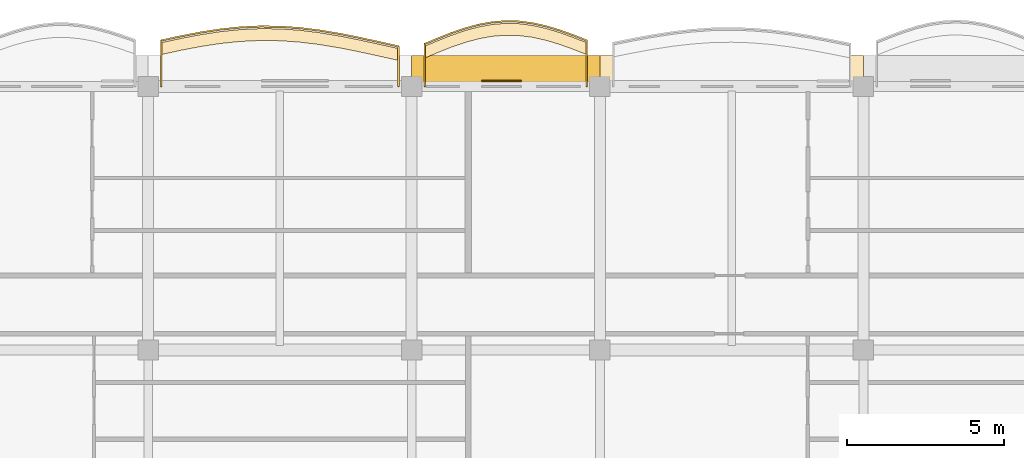
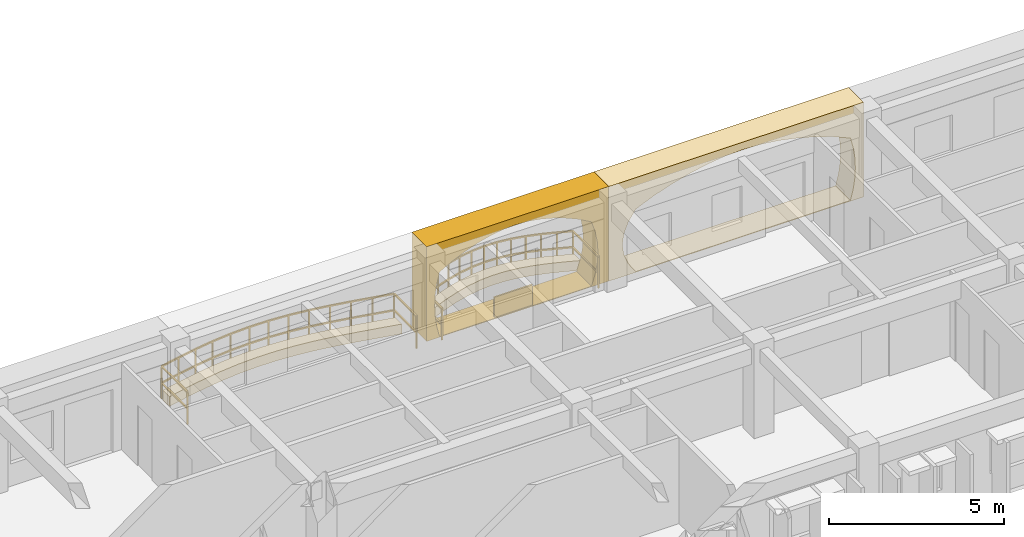
# One storey, part 64 of 76: 5 coverings, 2 railings.
"""IFC4 building model written with IfcOpenShell, lengths in metres."""

from ifc_helpers import new_model, si_unit, direction, frame, origin, origin_2d, place, context, subcontext, project, spatial, polyline, rectangle, outline, extrude, material, layer, layer_set, type_object, element, save


model = new_model("IFC4")

# Units and contexts
model_context = context("Model", 3, precision=1e-05, world=origin(), true_north=direction((0.0, 1.0)))
body_context = subcontext(model_context, "Body", "Model", "MODEL_VIEW")
ifc_project = project(units=[si_unit("LENGTHUNIT", "METRE"), si_unit("AREAUNIT", "SQUARE_METRE"), si_unit("VOLUMEUNIT", "CUBIC_METRE"), si_unit("PLANEANGLEUNIT", "RADIAN"), si_unit("MASSUNIT", "GRAM", prefix="KILO"), si_unit("THERMODYNAMICTEMPERATUREUNIT", "KELVIN")], contexts=[model_context])

# Site, building, storey
site_placement = place(None, origin())
site = spatial("IfcSite", under=ifc_project, at=site_placement, CompositionType="ELEMENT")
building_placement = place(site_placement, origin())
building = spatial("IfcBuilding", under=site, at=building_placement, Name="Thalorik Housing Commons", CompositionType="ELEMENT")
storey_placement = place(building_placement, frame((0.0, 0.0, 18.0)))
storey = spatial("IfcBuildingStorey", under=building, at=storey_placement, Name="L05", CompositionType="ELEMENT", Elevation=18.0)

# Coverings
ifc_material_1 = material(Name="Precast concrete C40/50", Category="concrete")
ifc_layer_1 = layer(ifc_material_1, 0.85009765625, Name="Precast concrete C40/50", Category="concrete")
ifc_layer_set_1 = layer_set([ifc_layer_1], Name="Precast concrete C40/50")
covering_type_1 = type_object("IfcCoveringType", Name="ARC-CLD-CUSH-850", PredefinedType="CLADDING", material=ifc_layer_set_1)
covering_1_placement = place(storey_placement, frame((133.800048828125, 124.169921875, 0.0), z_axis=(0.0, 0.0, 1.0), x_axis=(-1.0, 0.0, 0.0)))
element("IfcCovering", 1, at=covering_1_placement, inside=storey, type_object=covering_type_1, Name="L05 White Precast Curved Cushion Bay Frame 2212", PredefinedType="CLADDING", context=body_context, shape_type="SweptSolid", body=[
    extrude(outline(polyline([(-4.199951171875, 0.0), (4.199951171875, 0.0), (4.199951171875, 3.300048828125), (-4.199951171875, 3.300048828125), (-4.199951171875, 0.0)]), holes=[polyline([(3.3095703125, 0.02490234375), (3.55419921875, 0.387451171875), (3.701171875, 0.75), (3.75, 1.112548828125), (3.701171875, 1.47509765625), (3.55419921875, 1.83740234375), (3.3095703125, 2.199951171875), (2.719482421875, 2.455810546875), (2.12939453125, 2.656494140625), (1.539306640625, 2.819091796875), (0.94921875, 2.940185546875), (0.359375, 3.014892578125), (-0.230712890625, 3.0400390625), (-0.82080078125, 3.014892578125), (-1.410888671875, 2.940185546875), (-2.0009765625, 2.819091796875), (-2.5908203125, 2.656494140625), (-3.180908203125, 2.455810546875), (-3.77099609375, 2.199951171875), (-3.861572265625, 1.83740234375), (-3.916015625, 1.47509765625), (-3.93408203125, 1.112548828125), (-3.916015625, 0.75), (-3.861572265625, 0.387451171875), (-3.77099609375, 0.02490234375), (3.3095703125, 0.02490234375)])]), frame((0.0, 0.425048828125, 0.0), z_axis=(0.0, -1.0, 0.0), x_axis=(1.0, 0.0, 0.0)), (0.0, 0.0, 1.0), 0.85009765625),
])
covering_2_placement = place(storey_placement, frame((126.60009765625, 124.169921875, 0.0), z_axis=(0.0, 0.0, 1.0), x_axis=(-1.0, 0.0, 0.0)))
element("IfcCovering", 2, at=covering_2_placement, inside=storey, type_object=covering_type_1, Name="L05 White Precast Curved Cushion Bay Frame 2214", PredefinedType="CLADDING", context=body_context, shape_type="SweptSolid", body=[
    extrude(outline(polyline([(-3.0, 0.0), (3.0, 0.0), (3.0, 3.300048828125), (-3.0, 3.300048828125), (-3.0, 0.0)]), holes=[polyline([(2.580078125, 0.02490234375), (2.668701171875, 0.399169921875), (2.721923828125, 0.773193359375), (2.739501953125, 1.1474609375), (2.721923828125, 1.521728515625), (2.668701171875, 1.895751953125), (2.580078125, 2.27001953125), (2.16259765625, 2.50439453125), (1.7451171875, 2.6884765625), (1.327392578125, 2.837646484375), (0.909912109375, 2.948486328125), (0.492431640625, 3.016845703125), (0.074951171875, 3.0400390625), (-0.342529296875, 3.016845703125), (-0.760009765625, 2.948486328125), (-1.177490234375, 2.837646484375), (-1.594970703125, 2.6884765625), (-2.012451171875, 2.50439453125), (-2.429931640625, 2.27001953125), (-2.55029296875, 1.895751953125), (-2.62255859375, 1.521728515625), (-2.646484375, 1.1474609375), (-2.62255859375, 0.773193359375), (-2.55029296875, 0.399169921875), (-2.429931640625, 0.02490234375), (2.580078125, 0.02490234375)])]), frame((0.0, 0.425048828125, 0.0), z_axis=(0.0, -1.0, 0.0), x_axis=(1.0, 0.0, 0.0)), (0.0, 0.0, 1.0), 0.85009765625),
])
ifc_material_2 = material(Name="Terracotta red mineral fibre-cement panel", Category="masonry")
ifc_layer_2 = layer(ifc_material_2, 0.054931640625, Name="Terracotta red mineral fibre-cement panel", Category="masonry")
ifc_layer_set_2 = layer_set([ifc_layer_2], Name="Terracotta red mineral fibre-cement panel")
covering_type_2 = type_object("IfcCoveringType", Name="ARC-CLD-RED-55", PredefinedType="CLADDING", material=ifc_layer_set_2)
covering_3_placement = place(storey_placement, frame((126.465087890625, 123.777587890625, 0.0498046875), z_axis=(0.0, 0.0, 1.0), x_axis=(-1.0, 0.0, 0.0)))
element("IfcCovering", 3, at=covering_3_placement, inside=storey, type_object=covering_type_2, Name="L05 De Stijl Recessed Window Spandrel 2215", PredefinedType="CLADDING", context=body_context, shape_type="SweptSolid", body=[
    extrude(rectangle(XDim=1.25, YDim=0.054931640625, at=origin_2d()), origin(), (0.0, 0.0, 1.0), 0.699951171875),
])
ifc_material_3 = material(Name="Planted vegetated substrate and terracotta trough", Category="masonry")
ifc_layer_3 = layer(ifc_material_3, 0.340087890625, Name="Planted vegetated substrate and terracotta trough", Category="masonry")
ifc_layer_set_3 = layer_set([ifc_layer_3], Name="Planted vegetated substrate and terracotta trough")
covering_type_3 = type_object("IfcCoveringType", Name="ARC-COV-PLANTER", PredefinedType="USERDEFINED", material=ifc_layer_set_3)
covering_4_placement = place(storey_placement, origin())
element("IfcCovering", 4, at=covering_4_placement, inside=storey, type_object=covering_type_3, Name="L05 Balcony Slab-Edge Planted Trough 5473", ObjectType="PLANTER", PredefinedType="USERDEFINED", context=body_context, shape_type="SweptSolid", body=[
    extrude(outline(polyline([(123.179931640625, 124.810546875), (122.550048828125, 124.95068359375), (121.919921875, 125.087890625), (121.2900390625, 125.213134765625), (120.659912109375, 125.31787109375), (120.030029296875, 125.394775390625), (119.39990234375, 125.438720703125), (118.77001953125, 125.446044921875), (118.139892578125, 125.41650390625), (117.510009765625, 125.351806640625), (116.8798828125, 125.256103515625), (116.25, 125.135986328125), (115.6201171875, 124.998779296875), (115.6201171875, 124.618896484375), (116.25, 124.755859375), (116.8798828125, 124.876220703125), (117.510009765625, 124.971923828125), (118.139892578125, 125.03662109375), (118.77001953125, 125.066162109375), (119.39990234375, 125.05859375), (120.030029296875, 125.014892578125), (120.659912109375, 124.93798828125), (121.2900390625, 124.833251953125), (121.919921875, 124.7080078125), (122.550048828125, 124.57080078125), (123.179931640625, 124.4306640625), (123.179931640625, 124.810546875)])), origin(), (0.0, 0.0, 1.0), 0.340087890625),
])
covering_5_placement = place(storey_placement, origin())
element("IfcCovering", 5, at=covering_5_placement, inside=storey, type_object=covering_type_3, Name="L05 Balcony Slab-Edge Planted Trough 5474", ObjectType="PLANTER", PredefinedType="USERDEFINED", context=body_context, shape_type="SweptSolid", body=[
    extrude(outline(polyline([(129.179931640625, 124.9970703125), (128.75, 125.166259765625), (128.320068359375, 125.321044921875), (127.889892578125, 125.45068359375), (127.4599609375, 125.546630859375), (127.030029296875, 125.6025390625), (126.60009765625, 125.614013671875), (126.169921875, 125.580322265625), (125.739990234375, 125.503173828125), (125.31005859375, 125.38720703125), (124.8798828125, 125.23974609375), (124.449951171875, 125.0703125), (124.02001953125, 124.8896484375), (124.02001953125, 124.509765625), (124.449951171875, 124.6904296875), (124.8798828125, 124.85986328125), (125.31005859375, 125.007080078125), (125.739990234375, 125.123046875), (126.169921875, 125.2001953125), (126.60009765625, 125.234130859375), (127.030029296875, 125.222412109375), (127.4599609375, 125.166748046875), (127.889892578125, 125.07080078125), (128.320068359375, 124.94091796875), (128.75, 124.786376953125), (129.179931640625, 124.6171875), (129.179931640625, 124.9970703125)])), origin(), (0.0, 0.0, 1.0), 0.340087890625),
])

# Railings
ifc_material_4 = material(Name="Steel S355", Category="steel")
railing_type_1 = type_object("IfcRailingType", Name="ARC-RL-BAL-112", PredefinedType="BALUSTRADE", material=ifc_material_4)
railing_1_placement = place(storey_placement, frame((129.179931640625, 123.60009765625, 0.0)))
element("IfcRailing", 6, at=railing_1_placement, inside=storey, type_object=railing_type_1, Name="L05 Cushion Balcony Guardrail 158", PredefinedType="BALUSTRADE", context=body_context, shape_type="SweptSolid", body=[
    extrude(rectangle(XDim=0.050048828125, YDim=0.050048828125, at=origin_2d()), frame((0.0, 0.0, 1.09521484375), z_axis=(0.0, 1.0, 0.0), x_axis=(-1.0, 0.0, 0.0)), (0.0, 0.0, 1.0), 1.467041015625),
    extrude(rectangle(XDim=0.050048828125, YDim=0.050048828125, at=origin_2d()), frame((0.0, 0.0, 0.53515625), z_axis=(0.0, 1.0, 0.0), x_axis=(-1.0, 0.0, 0.0)), (0.0, 0.0, 1.0), 1.467041015625),
    extrude(rectangle(XDim=0.050048828125, YDim=0.050048828125, at=origin_2d()), frame((0.0, 1.467041015625, 1.09521484375), z_axis=(-0.930539387063, 0.366191820122, 0.0), x_axis=(-0.366191820122, -0.930539387063, 0.0)), (0.0, 0.0, 1.0), 0.4619140625),
    extrude(rectangle(XDim=0.050048828125, YDim=0.050048828125, at=origin_2d()), frame((0.0, 1.467041015625, 0.53515625), z_axis=(-0.930539387063, 0.366191820122, 0.0), x_axis=(-0.366191820122, -0.930539387063, 0.0)), (0.0, 0.0, 1.0), 0.4619140625),
    extrude(rectangle(XDim=0.050048828125, YDim=0.050048828125, at=origin_2d()), frame((-0.429931640625, 1.63623046875, 1.09521484375), z_axis=(-0.940880600646, 0.33873838774, 0.0), x_axis=(-0.33873838774, -0.940880600646, 0.0)), (0.0, 0.0, 1.0), 0.45703125),
    extrude(rectangle(XDim=0.050048828125, YDim=0.050048828125, at=origin_2d()), frame((-0.429931640625, 1.63623046875, 0.53515625), z_axis=(-0.940880600646, 0.33873838774, 0.0), x_axis=(-0.33873838774, -0.940880600646, 0.0)), (0.0, 0.0, 1.0), 0.45703125),
    extrude(rectangle(XDim=0.050048828125, YDim=0.050048828125, at=origin_2d()), frame((-0.85986328125, 1.791015625, 1.09521484375), z_axis=(-0.957466596389, 0.288544133191, 0.0), x_axis=(-0.288544133191, -0.957466596389, 0.0)), (0.0, 0.0, 1.0), 0.44921875),
    extrude(rectangle(XDim=0.050048828125, YDim=0.050048828125, at=origin_2d()), frame((-0.85986328125, 1.791015625, 0.53515625), z_axis=(-0.957466596389, 0.288544133191, 0.0), x_axis=(-0.288544133191, -0.957466596389, 0.0)), (0.0, 0.0, 1.0), 0.44921875),
    extrude(rectangle(XDim=0.050048828125, YDim=0.050048828125, at=origin_2d()), frame((-1.2900390625, 1.920654296875, 1.09521484375), z_axis=(-0.975991054332, 0.217810610081, 0.0), x_axis=(-0.217810610081, -0.975991054332, 0.0)), (0.0, 0.0, 1.0), 0.4404296875),
    extrude(rectangle(XDim=0.050048828125, YDim=0.050048828125, at=origin_2d()), frame((-1.2900390625, 1.920654296875, 0.53515625), z_axis=(-0.975991054332, 0.217810610081, 0.0), x_axis=(-0.217810610081, -0.975991054332, 0.0)), (0.0, 0.0, 1.0), 0.4404296875),
    extrude(rectangle(XDim=0.050048828125, YDim=0.050048828125, at=origin_2d()), frame((-1.719970703125, 2.0166015625, 1.09521484375), z_axis=(-0.991650577376, 0.12895399331, 0.0), x_axis=(-0.12895399331, -0.991650577376, 0.0)), (0.0, 0.0, 1.0), 0.43359375),
    extrude(rectangle(XDim=0.050048828125, YDim=0.050048828125, at=origin_2d()), frame((-1.719970703125, 2.0166015625, 0.53515625), z_axis=(-0.991650577376, 0.12895399331, 0.0), x_axis=(-0.12895399331, -0.991650577376, 0.0)), (0.0, 0.0, 1.0), 0.43359375),
    extrude(rectangle(XDim=0.050048828125, YDim=0.050048828125, at=origin_2d()), frame((-2.14990234375, 2.072509765625, 1.09521484375), z_axis=(-0.999644028634, 0.026679880378, 0.0), x_axis=(-0.026679880378, -0.999644028634, 0.0)), (0.0, 0.0, 1.0), 0.43017578125),
    extrude(rectangle(XDim=0.050048828125, YDim=0.050048828125, at=origin_2d()), frame((-2.14990234375, 2.072509765625, 0.53515625), z_axis=(-0.999644028634, 0.026679880378, 0.0), x_axis=(-0.026679880378, -0.999644028634, 0.0)), (0.0, 0.0, 1.0), 0.43017578125),
    extrude(rectangle(XDim=0.050048828125, YDim=0.050048828125, at=origin_2d()), frame((-2.579833984375, 2.083984375, 1.09521484375), z_axis=(-0.99694701985, -0.078080981123, 0.0), x_axis=(0.078080981123, -0.99694701985, 0.0)), (0.0, 0.0, 1.0), 0.431396484375),
    extrude(rectangle(XDim=0.050048828125, YDim=0.050048828125, at=origin_2d()), frame((-2.579833984375, 2.083984375, 0.53515625), z_axis=(-0.99694701985, -0.078080981123, 0.0), x_axis=(0.078080981123, -0.99694701985, 0.0)), (0.0, 0.0, 1.0), 0.431396484375),
    extrude(rectangle(XDim=0.050048828125, YDim=0.050048828125, at=origin_2d()), frame((-3.010009765625, 2.05029296875, 1.09521484375), z_axis=(-0.984181375101, -0.177163825047, 0.0), x_axis=(0.177163825047, -0.984181375101, 0.0)), (0.0, 0.0, 1.0), 0.436767578125),
    extrude(rectangle(XDim=0.050048828125, YDim=0.050048828125, at=origin_2d()), frame((-3.010009765625, 2.05029296875, 0.53515625), z_axis=(-0.984181375101, -0.177163825047, 0.0), x_axis=(0.177163825047, -0.984181375101, 0.0)), (0.0, 0.0, 1.0), 0.436767578125),
    extrude(rectangle(XDim=0.050048828125, YDim=0.050048828125, at=origin_2d()), frame((-3.43994140625, 1.972900390625, 1.09521484375), z_axis=(-0.965631639751, -0.259914478843, 0.0), x_axis=(0.259914478843, -0.965631639751, 0.0)), (0.0, 0.0, 1.0), 0.4453125),
    extrude(rectangle(XDim=0.050048828125, YDim=0.050048828125, at=origin_2d()), frame((-3.43994140625, 1.972900390625, 0.53515625), z_axis=(-0.965631639751, -0.259914478843, 0.0), x_axis=(0.259914478843, -0.965631639751, 0.0)), (0.0, 0.0, 1.0), 0.4453125),
    extrude(rectangle(XDim=0.050048828125, YDim=0.050048828125, at=origin_2d()), frame((-3.869873046875, 1.857177734375, 1.09521484375), z_axis=(-0.945964768133, -0.324269421085, 0.0), x_axis=(0.324269421085, -0.945964768133, 0.0)), (0.0, 0.0, 1.0), 0.454833984375),
    extrude(rectangle(XDim=0.050048828125, YDim=0.050048828125, at=origin_2d()), frame((-3.869873046875, 1.857177734375, 0.53515625), z_axis=(-0.945964768133, -0.324269421085, 0.0), x_axis=(0.324269421085, -0.945964768133, 0.0)), (0.0, 0.0, 1.0), 0.454833984375),
    extrude(rectangle(XDim=0.050048828125, YDim=0.050048828125, at=origin_2d()), frame((-4.300048828125, 1.709716796875, 1.09521484375), z_axis=(-0.930359248825, -0.366649244, 0.0), x_axis=(0.366649244, -0.930359248825, 0.0)), (0.0, 0.0, 1.0), 0.462158203125),
    extrude(rectangle(XDim=0.050048828125, YDim=0.050048828125, at=origin_2d()), frame((-4.300048828125, 1.709716796875, 0.53515625), z_axis=(-0.930359248825, -0.366649244, 0.0), x_axis=(0.366649244, -0.930359248825, 0.0)), (0.0, 0.0, 1.0), 0.462158203125),
    extrude(rectangle(XDim=0.050048828125, YDim=0.050048828125, at=origin_2d()), frame((-4.72998046875, 1.540283203125, 1.09521484375), z_axis=(-0.921911065704, -0.387401583544, 0.0), x_axis=(0.387401583544, -0.921911065704, 0.0)), (0.0, 0.0, 1.0), 0.46630859375),
    extrude(rectangle(XDim=0.050048828125, YDim=0.050048828125, at=origin_2d()), frame((-4.72998046875, 1.540283203125, 0.53515625), z_axis=(-0.921911065704, -0.387401583544, 0.0), x_axis=(0.387401583544, -0.921911065704, 0.0)), (0.0, 0.0, 1.0), 0.46630859375),
    extrude(rectangle(XDim=0.050048828125, YDim=0.050048828125, at=origin_2d()), frame((-5.159912109375, 1.359619140625, 1.09521484375), z_axis=(0.0, -1.0, 0.0), x_axis=(1.0, 0.0, 0.0)), (0.0, 0.0, 1.0), 1.359619140625),
    extrude(rectangle(XDim=0.050048828125, YDim=0.050048828125, at=origin_2d()), frame((-5.159912109375, 1.359619140625, 0.53515625), z_axis=(0.0, -1.0, 0.0), x_axis=(1.0, 0.0, 0.0)), (0.0, 0.0, 1.0), 1.359619140625),
    extrude(rectangle(XDim=0.0419921875, YDim=0.0419921875, at=origin_2d()), origin(), (0.0, 0.0, 1.0), 1.070068359375),
    extrude(rectangle(XDim=0.0419921875, YDim=0.0419921875, at=origin_2d()), frame((0.0, 1.467041015625, 0.0)), (0.0, 0.0, 1.0), 1.070068359375),
    extrude(rectangle(XDim=0.0419921875, YDim=0.0419921875, at=origin_2d()), frame((-0.429931640625, 1.63623046875, 0.0)), (0.0, 0.0, 1.0), 1.070068359375),
    extrude(rectangle(XDim=0.0419921875, YDim=0.0419921875, at=origin_2d()), frame((-0.85986328125, 1.791015625, 0.0)), (0.0, 0.0, 1.0), 1.070068359375),
    extrude(rectangle(XDim=0.0419921875, YDim=0.0419921875, at=origin_2d()), frame((-1.2900390625, 1.920654296875, 0.0)), (0.0, 0.0, 1.0), 1.070068359375),
    extrude(rectangle(XDim=0.0419921875, YDim=0.0419921875, at=origin_2d()), frame((-1.719970703125, 2.0166015625, 0.0)), (0.0, 0.0, 1.0), 1.070068359375),
    extrude(rectangle(XDim=0.0419921875, YDim=0.0419921875, at=origin_2d()), frame((-2.14990234375, 2.072509765625, 0.0)), (0.0, 0.0, 1.0), 1.070068359375),
    extrude(rectangle(XDim=0.0419921875, YDim=0.0419921875, at=origin_2d()), frame((-2.579833984375, 2.083984375, 0.0)), (0.0, 0.0, 1.0), 1.070068359375),
    extrude(rectangle(XDim=0.0419921875, YDim=0.0419921875, at=origin_2d()), frame((-3.010009765625, 2.05029296875, 0.0)), (0.0, 0.0, 1.0), 1.070068359375),
    extrude(rectangle(XDim=0.0419921875, YDim=0.0419921875, at=origin_2d()), frame((-3.43994140625, 1.972900390625, 0.0)), (0.0, 0.0, 1.0), 1.070068359375),
    extrude(rectangle(XDim=0.0419921875, YDim=0.0419921875, at=origin_2d()), frame((-3.869873046875, 1.857177734375, 0.0)), (0.0, 0.0, 1.0), 1.070068359375),
    extrude(rectangle(XDim=0.0419921875, YDim=0.0419921875, at=origin_2d()), frame((-4.300048828125, 1.709716796875, 0.0)), (0.0, 0.0, 1.0), 1.070068359375),
    extrude(rectangle(XDim=0.0419921875, YDim=0.0419921875, at=origin_2d()), frame((-4.72998046875, 1.540283203125, 0.0)), (0.0, 0.0, 1.0), 1.070068359375),
    extrude(rectangle(XDim=0.0419921875, YDim=0.0419921875, at=origin_2d()), frame((-5.159912109375, 1.359619140625, 0.0)), (0.0, 0.0, 1.0), 1.070068359375),
    extrude(rectangle(XDim=0.0419921875, YDim=0.0419921875, at=origin_2d()), frame((-5.159912109375, 0.0, 0.0)), (0.0, 0.0, 1.0), 1.070068359375),
])
railing_type_2 = type_object("IfcRailingType", Name="ARC-RL-BAL-115", PredefinedType="BALUSTRADE", material=ifc_material_4)
railing_2_placement = place(storey_placement, frame((123.179931640625, 123.60009765625, 0.0)))
element("IfcRailing", 7, at=railing_2_placement, inside=storey, type_object=railing_type_2, Name="L05 Cushion Balcony Guardrail 157", PredefinedType="BALUSTRADE", context=body_context, shape_type="SweptSolid", body=[
    extrude(rectangle(XDim=0.050048828125, YDim=0.050048828125, at=origin_2d()), frame((0.0, 0.0, 1.125), z_axis=(0.0, 1.0, 0.0), x_axis=(-1.0, 0.0, 0.0)), (0.0, 0.0, 1.0), 1.280517578125),
    extrude(rectangle(XDim=0.050048828125, YDim=0.050048828125, at=origin_2d()), frame((0.0, 0.0, 0.5498046875), z_axis=(0.0, 1.0, 0.0), x_axis=(-1.0, 0.0, 0.0)), (0.0, 0.0, 1.0), 1.280517578125),
    extrude(rectangle(XDim=0.050048828125, YDim=0.050048828125, at=origin_2d()), frame((0.0, 1.280517578125, 1.125), z_axis=(-0.976133616988, 0.217170812462, 0.0), x_axis=(-0.217170812462, -0.976133616988, 0.0)), (0.0, 0.0, 1.0), 0.645263671875),
    extrude(rectangle(XDim=0.050048828125, YDim=0.050048828125, at=origin_2d()), frame((0.0, 1.280517578125, 0.5498046875), z_axis=(-0.976133616988, 0.217170812462, 0.0), x_axis=(-0.217170812462, -0.976133616988, 0.0)), (0.0, 0.0, 1.0), 0.645263671875),
    extrude(rectangle(XDim=0.050048828125, YDim=0.050048828125, at=origin_2d()), frame((-0.6298828125, 1.420654296875, 1.125), z_axis=(-0.97710455642, 0.212759690317, 0.0), x_axis=(-0.212759690317, -0.97710455642, 0.0)), (0.0, 0.0, 1.0), 0.644775390625),
    extrude(rectangle(XDim=0.050048828125, YDim=0.050048828125, at=origin_2d()), frame((-0.6298828125, 1.420654296875, 0.5498046875), z_axis=(-0.97710455642, 0.212759690317, 0.0), x_axis=(-0.212759690317, -0.97710455642, 0.0)), (0.0, 0.0, 1.0), 0.644775390625),
    extrude(rectangle(XDim=0.050048828125, YDim=0.050048828125, at=origin_2d()), frame((-1.260009765625, 1.557861328125, 1.125), z_axis=(-0.980799382594, 0.19501941212, 0.0), x_axis=(-0.19501941212, -0.980799382594, 0.0)), (0.0, 0.0, 1.0), 0.642333984375),
    extrude(rectangle(XDim=0.050048828125, YDim=0.050048828125, at=origin_2d()), frame((-1.260009765625, 1.557861328125, 0.5498046875), z_axis=(-0.980799382594, 0.19501941212, 0.0), x_axis=(-0.19501941212, -0.980799382594, 0.0)), (0.0, 0.0, 1.0), 0.642333984375),
    extrude(rectangle(XDim=0.050048828125, YDim=0.050048828125, at=origin_2d()), frame((-1.889892578125, 1.68310546875, 1.125), z_axis=(-0.98646613711, 0.163965119264, 0.0), x_axis=(-0.163965119264, -0.98646613711, 0.0)), (0.0, 0.0, 1.0), 0.638671875),
    extrude(rectangle(XDim=0.050048828125, YDim=0.050048828125, at=origin_2d()), frame((-1.889892578125, 1.68310546875, 0.5498046875), z_axis=(-0.98646613711, 0.163965119264, 0.0), x_axis=(-0.163965119264, -0.98646613711, 0.0)), (0.0, 0.0, 1.0), 0.638671875),
    extrude(rectangle(XDim=0.050048828125, YDim=0.050048828125, at=origin_2d()), frame((-2.52001953125, 1.787841796875, 1.125), z_axis=(-0.992628953739, 0.121193069933, 0.0), x_axis=(-0.121193069933, -0.992628953739, 0.0)), (0.0, 0.0, 1.0), 0.634521484375),
    extrude(rectangle(XDim=0.050048828125, YDim=0.050048828125, at=origin_2d()), frame((-2.52001953125, 1.787841796875, 0.5498046875), z_axis=(-0.992628953739, 0.121193069933, 0.0), x_axis=(-0.121193069933, -0.992628953739, 0.0)), (0.0, 0.0, 1.0), 0.634521484375),
    extrude(rectangle(XDim=0.050048828125, YDim=0.050048828125, at=origin_2d()), frame((-3.14990234375, 1.86474609375, 1.125), z_axis=(-0.997603724005, 0.069186775125, 0.0), x_axis=(-0.069186775125, -0.997603724005, 0.0)), (0.0, 0.0, 1.0), 0.631591796875),
    extrude(rectangle(XDim=0.050048828125, YDim=0.050048828125, at=origin_2d()), frame((-3.14990234375, 1.86474609375, 0.5498046875), z_axis=(-0.997603724005, 0.069186775125, 0.0), x_axis=(-0.069186775125, -0.997603724005, 0.0)), (0.0, 0.0, 1.0), 0.631591796875),
    extrude(rectangle(XDim=0.050048828125, YDim=0.050048828125, at=origin_2d()), frame((-3.780029296875, 1.908447265625, 1.125), z_axis=(-0.999927821649, 0.012014636617, 0.0), x_axis=(-0.012014636617, -0.999927821649, 0.0)), (0.0, 0.0, 1.0), 0.6298828125),
    extrude(rectangle(XDim=0.050048828125, YDim=0.050048828125, at=origin_2d()), frame((-3.780029296875, 1.908447265625, 0.5498046875), z_axis=(-0.999927821649, 0.012014636617, 0.0), x_axis=(-0.012014636617, -0.999927821649, 0.0)), (0.0, 0.0, 1.0), 0.6298828125),
    extrude(rectangle(XDim=0.050048828125, YDim=0.050048828125, at=origin_2d()), frame((-4.409912109375, 1.916015625, 1.125), z_axis=(-0.99890289151, -0.046829620253, 0.0), x_axis=(0.046829620253, -0.99890289151, 0.0)), (0.0, 0.0, 1.0), 0.630859375),
    extrude(rectangle(XDim=0.050048828125, YDim=0.050048828125, at=origin_2d()), frame((-4.409912109375, 1.916015625, 0.5498046875), z_axis=(-0.99890289151, -0.046829620253, 0.0), x_axis=(0.046829620253, -0.99890289151, 0.0)), (0.0, 0.0, 1.0), 0.630859375),
    extrude(rectangle(XDim=0.050048828125, YDim=0.050048828125, at=origin_2d()), frame((-5.0400390625, 1.886474609375, 1.125), z_axis=(-0.994766376321, -0.102175616173, 0.0), x_axis=(0.102175616173, -0.994766376321, 0.0)), (0.0, 0.0, 1.0), 0.63330078125),
    extrude(rectangle(XDim=0.050048828125, YDim=0.050048828125, at=origin_2d()), frame((-5.0400390625, 1.886474609375, 0.5498046875), z_axis=(-0.994766376321, -0.102175616173, 0.0), x_axis=(0.102175616173, -0.994766376321, 0.0)), (0.0, 0.0, 1.0), 0.63330078125),
    extrude(rectangle(XDim=0.050048828125, YDim=0.050048828125, at=origin_2d()), frame((-5.669921875, 1.82177734375, 1.125), z_axis=(-0.988662144203, -0.150157133099, 0.0), x_axis=(0.150157133099, -0.988662144203, 0.0)), (0.0, 0.0, 1.0), 0.637451171875),
    extrude(rectangle(XDim=0.050048828125, YDim=0.050048828125, at=origin_2d()), frame((-5.669921875, 1.82177734375, 0.5498046875), z_axis=(-0.988662144203, -0.150157133099, 0.0), x_axis=(0.150157133099, -0.988662144203, 0.0)), (0.0, 0.0, 1.0), 0.637451171875),
    extrude(rectangle(XDim=0.050048828125, YDim=0.050048828125, at=origin_2d()), frame((-6.300048828125, 1.72607421875, 1.125), z_axis=(-0.982228432783, -0.187689386574, 0.0), x_axis=(0.187689386574, -0.982228432783, 0.0)), (0.0, 0.0, 1.0), 0.641357421875),
    extrude(rectangle(XDim=0.050048828125, YDim=0.050048828125, at=origin_2d()), frame((-6.300048828125, 1.72607421875, 0.5498046875), z_axis=(-0.982228432783, -0.187689386574, 0.0), x_axis=(0.187689386574, -0.982228432783, 0.0)), (0.0, 0.0, 1.0), 0.641357421875),
    extrude(rectangle(XDim=0.050048828125, YDim=0.050048828125, at=origin_2d()), frame((-6.929931640625, 1.605712890625, 1.125), z_axis=(-0.977166107914, -0.212476816488, 0.0), x_axis=(0.212476816488, -0.977166107914, 0.0)), (0.0, 0.0, 1.0), 0.64453125),
    extrude(rectangle(XDim=0.050048828125, YDim=0.050048828125, at=origin_2d()), frame((-6.929931640625, 1.605712890625, 0.5498046875), z_axis=(-0.977166107914, -0.212476816488, 0.0), x_axis=(0.212476816488, -0.977166107914, 0.0)), (0.0, 0.0, 1.0), 0.64453125),
    extrude(rectangle(XDim=0.050048828125, YDim=0.050048828125, at=origin_2d()), frame((-7.559814453125, 1.46875, 1.125), z_axis=(0.0, -1.0, 0.0), x_axis=(1.0, 0.0, 0.0)), (0.0, 0.0, 1.0), 1.46875),
    extrude(rectangle(XDim=0.050048828125, YDim=0.050048828125, at=origin_2d()), frame((-7.559814453125, 1.46875, 0.5498046875), z_axis=(0.0, -1.0, 0.0), x_axis=(1.0, 0.0, 0.0)), (0.0, 0.0, 1.0), 1.46875),
    extrude(rectangle(XDim=0.0419921875, YDim=0.0419921875, at=origin_2d()), origin(), (0.0, 0.0, 1.0), 1.099853515625),
    extrude(rectangle(XDim=0.0419921875, YDim=0.0419921875, at=origin_2d()), frame((0.0, 1.280517578125, 0.0)), (0.0, 0.0, 1.0), 1.099853515625),
    extrude(rectangle(XDim=0.0419921875, YDim=0.0419921875, at=origin_2d()), frame((-0.6298828125, 1.420654296875, 0.0)), (0.0, 0.0, 1.0), 1.099853515625),
    extrude(rectangle(XDim=0.0419921875, YDim=0.0419921875, at=origin_2d()), frame((-1.260009765625, 1.557861328125, 0.0)), (0.0, 0.0, 1.0), 1.099853515625),
    extrude(rectangle(XDim=0.0419921875, YDim=0.0419921875, at=origin_2d()), frame((-1.889892578125, 1.68310546875, 0.0)), (0.0, 0.0, 1.0), 1.099853515625),
    extrude(rectangle(XDim=0.0419921875, YDim=0.0419921875, at=origin_2d()), frame((-2.52001953125, 1.787841796875, 0.0)), (0.0, 0.0, 1.0), 1.099853515625),
    extrude(rectangle(XDim=0.0419921875, YDim=0.0419921875, at=origin_2d()), frame((-3.14990234375, 1.86474609375, 0.0)), (0.0, 0.0, 1.0), 1.099853515625),
    extrude(rectangle(XDim=0.0419921875, YDim=0.0419921875, at=origin_2d()), frame((-3.780029296875, 1.908447265625, 0.0)), (0.0, 0.0, 1.0), 1.099853515625),
    extrude(rectangle(XDim=0.0419921875, YDim=0.0419921875, at=origin_2d()), frame((-4.409912109375, 1.916015625, 0.0)), (0.0, 0.0, 1.0), 1.099853515625),
    extrude(rectangle(XDim=0.0419921875, YDim=0.0419921875, at=origin_2d()), frame((-5.0400390625, 1.886474609375, 0.0)), (0.0, 0.0, 1.0), 1.099853515625),
    extrude(rectangle(XDim=0.0419921875, YDim=0.0419921875, at=origin_2d()), frame((-5.669921875, 1.82177734375, 0.0)), (0.0, 0.0, 1.0), 1.099853515625),
    extrude(rectangle(XDim=0.0419921875, YDim=0.0419921875, at=origin_2d()), frame((-6.300048828125, 1.72607421875, 0.0)), (0.0, 0.0, 1.0), 1.099853515625),
    extrude(rectangle(XDim=0.0419921875, YDim=0.0419921875, at=origin_2d()), frame((-6.929931640625, 1.605712890625, 0.0)), (0.0, 0.0, 1.0), 1.099853515625),
    extrude(rectangle(XDim=0.0419921875, YDim=0.0419921875, at=origin_2d()), frame((-7.559814453125, 1.46875, 0.0)), (0.0, 0.0, 1.0), 1.099853515625),
    extrude(rectangle(XDim=0.0419921875, YDim=0.0419921875, at=origin_2d()), frame((-7.559814453125, 0.0, 0.0)), (0.0, 0.0, 1.0), 1.099853515625),
])

save(model, "model.ifc")
